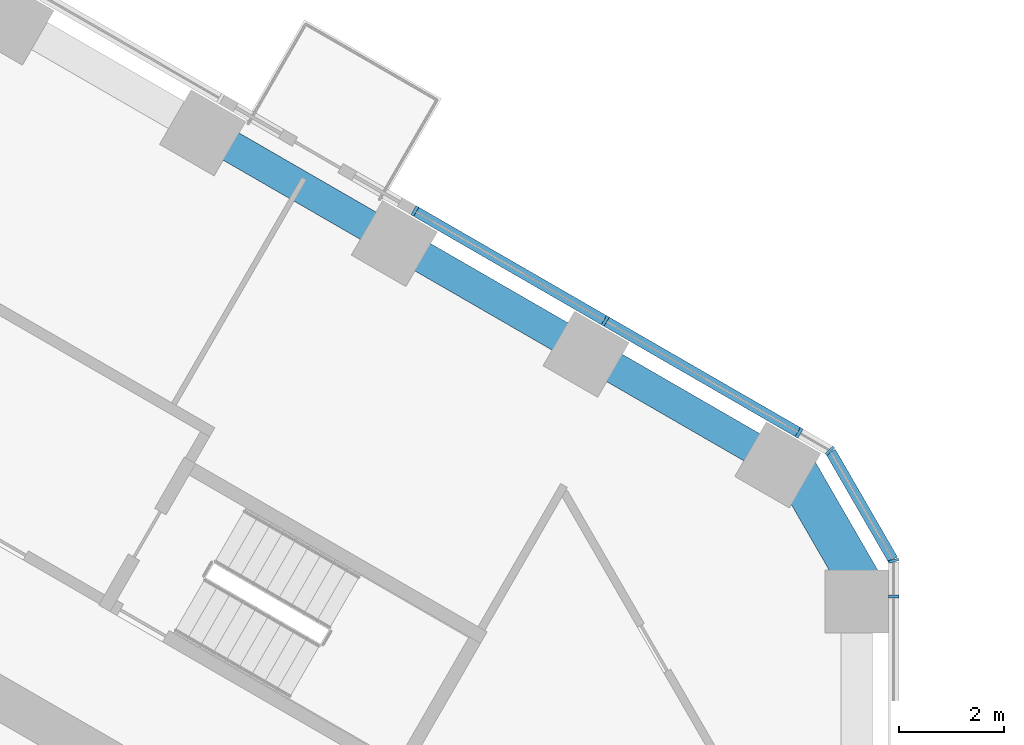
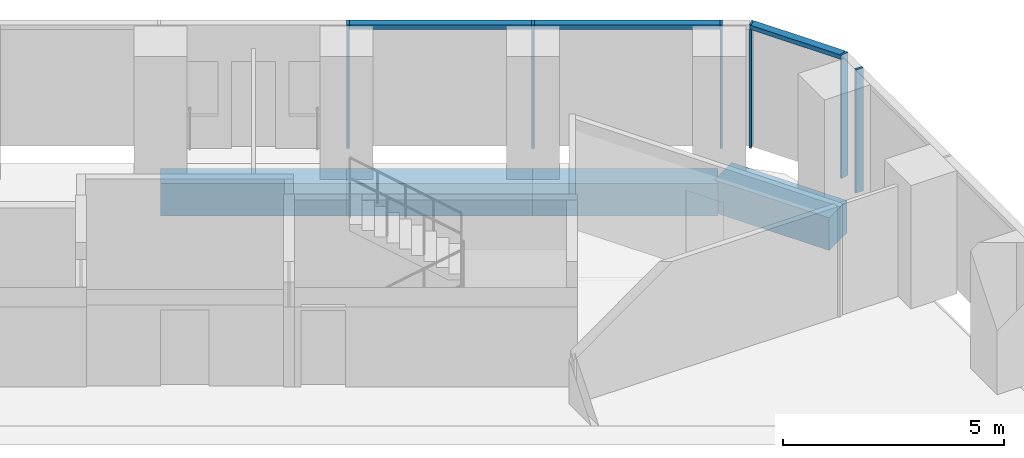
# One storey, part 7 of 20: 8 members, 4 beams, 3 elements without a shape of their own.
"""IFC4 building model written with IfcOpenShell, lengths in metres."""

from ifc_helpers import new_model, si_unit, direction, frame, origin, origin_2d, place, context, subcontext, project, spatial, rectangle, extrude, material, layer, layer_set, material_profile, profile_set, type_object, element, aggregate, save


model = new_model("IFC4")

# Units and contexts
model_context = context("Model", 3, precision=1e-05, world=origin(), true_north=direction((0.0, 1.0)))
body_context = subcontext(model_context, "Body", "Model", "MODEL_VIEW")
ifc_project = project(units=[si_unit("LENGTHUNIT", "METRE"), si_unit("AREAUNIT", "SQUARE_METRE"), si_unit("VOLUMEUNIT", "CUBIC_METRE"), si_unit("PLANEANGLEUNIT", "RADIAN"), si_unit("MASSUNIT", "GRAM", prefix="KILO")], contexts=[model_context])

# Site, building, storey
site_placement = place(None, origin())
site = spatial("IfcSite", under=ifc_project, at=site_placement, CompositionType="ELEMENT")
building_placement = place(site_placement, origin())
building = spatial("IfcBuilding", under=site, at=building_placement, Name="Ayvan Gate Tower", CompositionType="ELEMENT")
storey_placement = place(building_placement, frame((0.0, 0.0, 49.300048828125)))
storey = spatial("IfcBuildingStorey", under=building, at=storey_placement, Name="L12", CompositionType="ELEMENT", Elevation=49.300048828125)

# Beams
ifc_material_1 = material(Name="Concrete C40/50", Category="concrete")
ifc_material_profile_1 = material_profile(ifc_material_1, rectangle(XDim=0.800048828125, YDim=0.89990234375, at=origin_2d()), Name="RC 800x900")
ifc_profile_set_1 = profile_set([ifc_material_profile_1], Name="Concrete C40/50")
beam_type_1 = type_object("IfcBeamType", Name="Corner spandrel beam RC 800x900 C40/50", PredefinedType="BEAM", material=ifc_profile_set_1)
beam_placement = place(storey_placement, frame((20.97509765625, 9.914306640625, -0.800048828125), z_axis=(-0.499990139034, 0.866031096941, 0.0), x_axis=(-0.866031096941, -0.499990139034, 0.0)))
element("IfcBeam", 1, at=beam_placement, inside=storey, type_object=beam_type_1, Name="SB-L12-6", PredefinedType="BEAM", context=body_context, shape_type="SweptSolid", body=[
    extrude(rectangle(XDim=0.800048828125, YDim=0.89990234375, at=origin_2d()), origin(), (0.0, 0.0, 1.0), 3.0),
])
ifc_material_profile_2 = material_profile(ifc_material_1, rectangle(XDim=0.60009765625, YDim=0.89990234375, at=origin_2d()), Name="RC 600x900")
ifc_profile_set_2 = profile_set([ifc_material_profile_2], Name="Concrete C40/50")
beam_type_2 = type_object("IfcBeamType", Name="Spandrel beam RC 600x900 C40/50", PredefinedType="BEAM", material=ifc_profile_set_2)
for number, where, z_axis, x_axis, name in (
    (2, (19.28466796875, 12.40234375, -0.800048828125), (-0.866009402589, 0.500027713859, 0.0), (-0.500027713859, -0.866009402589, 0.0), "SB-L12-7"),
    (3, (15.6474609375, 14.50244140625, -0.800048828125), (-0.866034573852, 0.49998411664, 0.0), (-0.49998411664, -0.866034573852, 0.0), "SB-L12-8"),
    (4, (12.01025390625, 16.602294921875, -0.800048828125), (-0.866009402589, 0.500027713859, 0.0), (-0.500027713859, -0.866009402589, 0.0), "SB-L12-9"),
):
    element("IfcBeam", number, at=place(storey_placement, frame(where, z_axis=z_axis, x_axis=x_axis)), inside=storey, type_object=beam_type_2, Name=name, PredefinedType="BEAM", context=body_context, shape_type="SweptSolid", body=[
        extrude(rectangle(XDim=0.60009765625, YDim=0.89990234375, at=origin_2d()), origin(), (0.0, 0.0, 1.0), 4.199951171875),
    ])

# Curtain wall, member
ifc_material_2 = material(Name="Bronze anodised aluminium", Category="aluminium")
ifc_layer_1 = layer(ifc_material_2, 0.199951171875)
ifc_layer_set_1 = layer_set([ifc_layer_1], Name="Bronze anodised aluminium")
curtain_wall_type_1 = type_object("IfcCurtainWallType", Name="Stick curtain wall CW-1", PredefinedType="NOTDEFINED", material=ifc_layer_set_1)
curtain_wall_1_placement = place(storey_placement, origin())
curtain_wall_1 = element("IfcCurtainWall", 5, at=curtain_wall_1_placement, inside=storey, type_object=curtain_wall_type_1, Name="Stick curtain wall CW-1 L12", PredefinedType="NOTDEFINED")
ifc_material_profile_3 = material_profile(ifc_material_2, rectangle(XDim=0.199951171875, YDim=0.06005859375, at=origin_2d()), Name="Stick curtain wall CW-1 mullion 200 x 60")
ifc_profile_set_3 = profile_set([ifc_material_profile_3], Name="Bronze anodised aluminium")
member_type_1 = type_object("IfcMemberType", Name="Stick curtain wall CW-1 mullion 200 x 60", PredefinedType="MULLION", material=ifc_profile_set_3)
member_1_placement = place(storey_placement, frame((21.484619140625, 9.850341796875, 0.0), z_axis=(0.0, 0.0, 1.0), x_axis=(1.0, 0.0, 0.0)))
member_1 = element("IfcMember", 6, at=member_1_placement, type_object=member_type_1, Name="CW-1 mullion 4", PredefinedType="MULLION", context=body_context, shape_type="SweptSolid", body=[
    extrude(rectangle(XDim=0.199951171875, YDim=0.06005859375, at=origin_2d()), origin(), (0.0, 0.0, 1.0), 3.39990234375),
])
aggregate(curtain_wall_1, [member_1])

# Curtain wall, members
curtain_wall_2_placement = place(storey_placement, origin())
curtain_wall_2 = element("IfcCurtainWall", 7, at=curtain_wall_2_placement, inside=storey, type_object=curtain_wall_type_1, Name="Stick curtain wall CW-1 L12", PredefinedType="NOTDEFINED")
member_2_placement = place(storey_placement, frame((19.6884765625, 12.96142578125, 0.0), z_axis=(0.0, 0.0, 1.0), x_axis=(0.5, 0.866025403784, 0.0)))
member_2 = element("IfcMember", 8, at=member_2_placement, type_object=member_type_1, Name="CW-1 mullion 1", PredefinedType="MULLION", context=body_context, shape_type="SweptSolid", body=[
    extrude(rectangle(XDim=0.199951171875, YDim=0.06005859375, at=origin_2d()), origin(), (0.0, 0.0, 1.0), 3.39990234375),
])
member_3_placement = place(storey_placement, frame((16.00341796875, 15.0888671875, 0.0), z_axis=(0.0, 0.0, 1.0), x_axis=(0.5, 0.866025403784, 0.0)))
member_3 = element("IfcMember", 9, at=member_3_placement, type_object=member_type_1, Name="CW-1 mullion 2", PredefinedType="MULLION", context=body_context, shape_type="SweptSolid", body=[
    extrude(rectangle(XDim=0.199951171875, YDim=0.06005859375, at=origin_2d()), origin(), (0.0, 0.0, 1.0), 3.39990234375),
])
member_4_placement = place(storey_placement, frame((12.383544921875, 17.178955078125, 0.0), z_axis=(0.0, 0.0, 1.0), x_axis=(0.5, 0.866025403784, 0.0)))
member_4 = element("IfcMember", 10, at=member_4_placement, type_object=member_type_1, Name="CW-1 mullion 3", PredefinedType="MULLION", context=body_context, shape_type="SweptSolid", body=[
    extrude(rectangle(XDim=0.199951171875, YDim=0.06005859375, at=origin_2d()), origin(), (0.0, 0.0, 1.0), 3.39990234375),
])
ifc_material_profile_4 = material_profile(ifc_material_2, rectangle(XDim=0.199951171875, YDim=0.1201171875, at=origin_2d()), Name="Stick curtain wall CW-1 transom 200 x 120")
ifc_profile_set_4 = profile_set([ifc_material_profile_4], Name="Bronze anodised aluminium")
member_type_2 = type_object("IfcMemberType", Name="Stick curtain wall CW-1 transom 200 x 120", PredefinedType="USERDEFINED", material=ifc_profile_set_4)
member_5_placement = place(storey_placement, frame((19.6884765625, 12.96142578125, 3.33984375), z_axis=(-0.866024117953, 0.500002227119, 0.0), x_axis=(-0.500002227119, -0.866024117953, 0.0)))
member_5 = element("IfcMember", 11, at=member_5_placement, type_object=member_type_2, Name="CW-1 transom 1", ObjectType="TRANSOM", PredefinedType="USERDEFINED", context=body_context, shape_type="SweptSolid", body=[
    extrude(rectangle(XDim=0.199951171875, YDim=0.1201171875, at=origin_2d()), origin(), (0.0, 0.0, 1.0), 8.43505859375),
])
aggregate(curtain_wall_2, [member_2, member_3, member_4, member_5])

ifc_layer_2 = layer(ifc_material_2, 0.199951171875)
ifc_layer_set_2 = layer_set([ifc_layer_2], Name="Bronze anodised aluminium")
curtain_wall_type_2 = type_object("IfcCurtainWallType", Name="Stick curtain wall CW-6", PredefinedType="NOTDEFINED", material=ifc_layer_set_2)
curtain_wall_3_placement = place(storey_placement, origin())
curtain_wall_3 = element("IfcCurtainWall", 12, at=curtain_wall_3_placement, inside=storey, type_object=curtain_wall_type_2, Name="Stick curtain wall CW-6 L12", PredefinedType="NOTDEFINED")
ifc_material_profile_5 = material_profile(ifc_material_2, rectangle(XDim=0.199951171875, YDim=0.050048828125, at=origin_2d()), Name="Stick curtain wall CW-6 mullion 200 x 50")
ifc_profile_set_5 = profile_set([ifc_material_profile_5], Name="Bronze anodised aluminium")
member_type_3 = type_object("IfcMemberType", Name="Stick curtain wall CW-6 mullion 200 x 50", PredefinedType="MULLION", material=ifc_profile_set_5)
member_6_placement = place(storey_placement, frame((21.484619140625, 10.530517578125, 0.0), z_axis=(0.0, 0.0, 1.0), x_axis=(0.965925826289, 0.258819045103, 0.0)))
member_6 = element("IfcMember", 13, at=member_6_placement, type_object=member_type_3, Name="CW-6 mullion 2", PredefinedType="MULLION", context=body_context, shape_type="SweptSolid", body=[
    extrude(rectangle(XDim=0.199951171875, YDim=0.050048828125, at=origin_2d()), origin(), (0.0, 0.0, 1.0), 3.39990234375),
])
member_7_placement = place(storey_placement, frame((20.27734375, 12.62158203125, 0.0), z_axis=(0.0, 0.0, 1.0), x_axis=(0.707106781187, 0.707106781187, 0.0)))
member_7 = element("IfcMember", 14, at=member_7_placement, type_object=member_type_3, Name="CW-6 mullion 3", PredefinedType="MULLION", context=body_context, shape_type="SweptSolid", body=[
    extrude(rectangle(XDim=0.199951171875, YDim=0.050048828125, at=origin_2d()), origin(), (0.0, 0.0, 1.0), 3.39990234375),
])
ifc_material_profile_6 = material_profile(ifc_material_2, rectangle(XDim=0.199951171875, YDim=0.1201171875, at=origin_2d()), Name="Stick curtain wall CW-6 transom 200 x 120")
ifc_profile_set_6 = profile_set([ifc_material_profile_6], Name="Bronze anodised aluminium")
member_type_4 = type_object("IfcMemberType", Name="Stick curtain wall CW-6 transom 200 x 120", PredefinedType="USERDEFINED", material=ifc_profile_set_6)
member_8_placement = place(storey_placement, frame((21.47216796875, 10.552001953125, 3.33984375), z_axis=(-0.500014398087, 0.866017090885, 0.0), x_axis=(-0.866017090885, -0.500014398087, 0.0)))
member_8 = element("IfcMember", 15, at=member_8_placement, type_object=member_type_4, Name="CW-6 transom 2", ObjectType="TRANSOM", PredefinedType="USERDEFINED", context=body_context, shape_type="SweptSolid", body=[
    extrude(rectangle(XDim=0.199951171875, YDim=0.1201171875, at=origin_2d()), origin(), (0.0, 0.0, 1.0), 2.36474609375),
])
aggregate(curtain_wall_3, [member_6, member_7, member_8])

save(model, "model.ifc")
